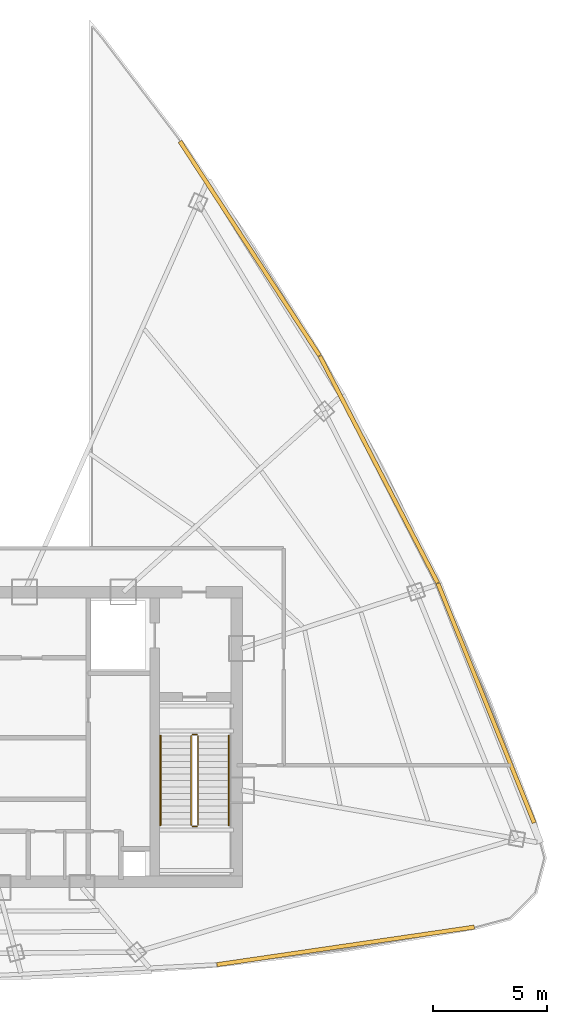
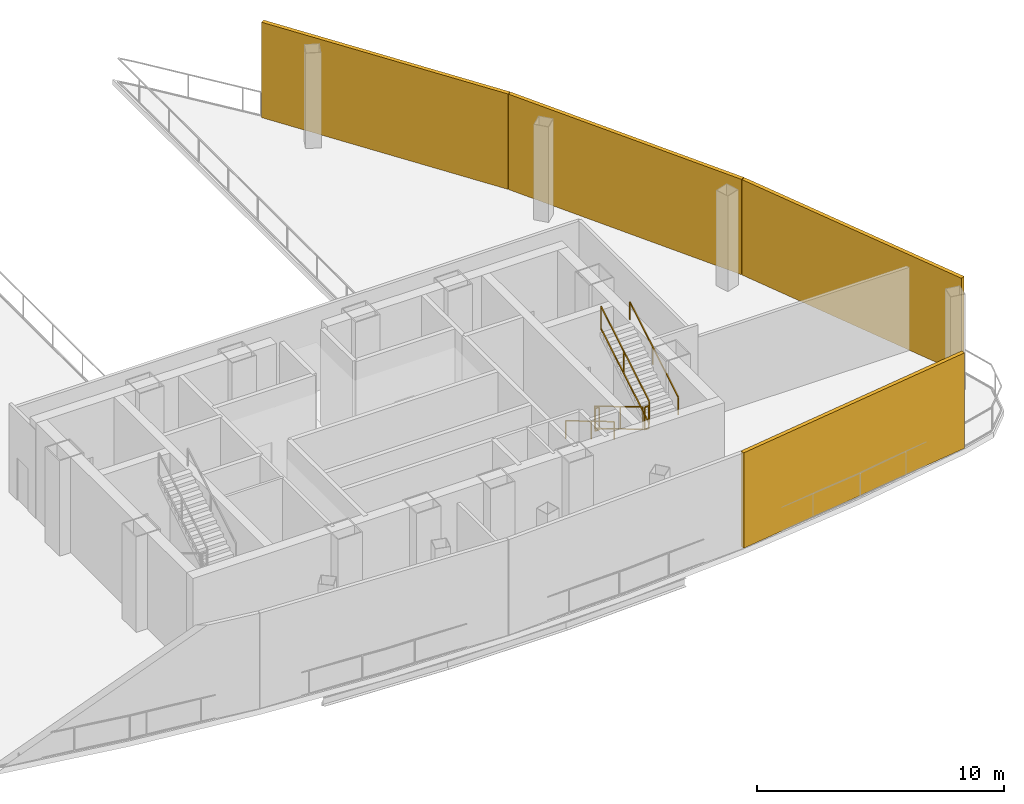
# One storey, part 6 of 6: 6 railings, 4 shading devices.
"""IFC4 building model written with IfcOpenShell, lengths in metres."""

import ifcopenshell
import ifcopenshell.guid

model = None  # the IFC model being written
_history = None  # IfcOwnerHistory: only IFC2X3 demands one
_inside = {}  # id of a spatial element -> (the spatial element, [elements in it])
_under = {}  # id of a project, library or spatial element -> (it, [spatial elements below it])
_declared = {}  # id of a project -> (the project, [libraries it declares])
_typed = {}  # id of a type object -> (the type object, [elements of that type])
_made_of = {}  # id of a material, layer set ... -> (it, [elements and type objects made of it])


def new_model(schema):
    """Start an empty IFC model of exactly this schema.

    Asked for "IFC4X3", IfcOpenShell would pick the latest addendum, in which some entities
    have other attributes; the version numbers below select the first issue.
    IFC2X3 requires an IfcOwnerHistory on every rooted entity: one is made here for all.
    """
    global model, _history
    if schema == "IFC4X3":
        model = ifcopenshell.file(schema_version=(4, 3, 0, 0))
    else:
        model = ifcopenshell.file(schema=schema)
    _inside.clear()
    _under.clear()
    _declared.clear()
    _typed.clear()
    _made_of.clear()
    _history = None
    if model.schema == "IFC2X3":
        org = make("IfcOrganization", Name="unknown")
        user = make(
            "IfcPersonAndOrganization",
            ThePerson=make("IfcPerson", FamilyName="unknown"),
            TheOrganization=org,
        )
        app = make(
            "IfcApplication",
            ApplicationDeveloper=org,
            Version="unknown",
            ApplicationFullName="unknown",
            ApplicationIdentifier="unknown",
        )
        _history = make(
            "IfcOwnerHistory",
            OwningUser=user,
            OwningApplication=app,
            ChangeAction="ADDED",
            CreationDate=0,
        )
    return model


def make(cls, **values):
    """One entity of the class cls with the attributes given. An attribute that is None is left unset."""
    return model.create_entity(
        cls, **{name: value for name, value in values.items() if value is not None}
    )


def rooted(cls, **values):
    """An entity with a GlobalId (a new one), such as an element, a storey or a relation."""
    return make(cls, GlobalId=ifcopenshell.guid.new(), OwnerHistory=_history, **values)


def si_unit(unit_type, name, prefix=None):
    """IfcSIUnit, for example si_unit("LENGTHUNIT", "METRE", prefix="MILLI")."""
    return make("IfcSIUnit", UnitType=unit_type, Prefix=prefix, Name=name)


def assignment(units):
    """IfcUnitAssignment: the units of a project."""
    return None if units is None else make("IfcUnitAssignment", Units=units)


def point(xyz):
    """IfcCartesianPoint."""
    return None if xyz is None else make("IfcCartesianPoint", Coordinates=xyz)


def direction(xyz):
    """IfcDirection."""
    return None if xyz is None else make("IfcDirection", DirectionRatios=xyz)


def frame(location, z_axis=None, x_axis=None):
    """IfcAxis2Placement3D, a coordinate frame: its origin and axes. An axis left out is left unset."""
    return make(
        "IfcAxis2Placement3D",
        Location=point(location),
        Axis=direction(z_axis),
        RefDirection=direction(x_axis),
    )


def frame_2d(location, x_axis=None):
    """IfcAxis2Placement2D, a coordinate frame in the plane: its origin and x axis."""
    return make(
        "IfcAxis2Placement2D", Location=point(location), RefDirection=direction(x_axis)
    )


def origin():
    """The frame at (0, 0, 0) with its axes left unset."""
    return frame((0.0, 0.0, 0.0))


def origin_2d():
    """The frame at (0, 0) in the plane with its x axis left unset."""
    return frame_2d((0.0, 0.0))


def place(relative_to, where):
    """IfcLocalPlacement: puts the frame where relative to a parent placement (None: the world)."""
    return make(
        "IfcLocalPlacement", PlacementRelTo=relative_to, RelativePlacement=where
    )


def context(
    kind, dimensions, precision=None, world=None, true_north=None, identifier=None
):
    """IfcGeometricRepresentationContext, for example the 3D "Model" context."""
    return make(
        "IfcGeometricRepresentationContext",
        ContextIdentifier=identifier,
        ContextType=kind,
        CoordinateSpaceDimension=dimensions,
        Precision=precision,
        WorldCoordinateSystem=world,
        TrueNorth=true_north,
    )


def subcontext(parent, identifier, kind, view, scale=None):
    """IfcGeometricRepresentationSubContext, for example "Body" below "Model"."""
    return make(
        "IfcGeometricRepresentationSubContext",
        ContextIdentifier=identifier,
        ContextType=kind,
        ParentContext=parent,
        TargetScale=scale,
        TargetView=view,
    )


def project(units=None, contexts=None):
    """IfcProject with its units and contexts."""
    return rooted(
        "IfcProject",
        Name="project",
        RepresentationContexts=contexts,
        UnitsInContext=assignment(units),
    )


def spatial(cls, under=None, at=None, **own):
    """A site, building, storey or space (cls), placed at a placement, below another one or the project."""
    s = rooted(cls, ObjectPlacement=at, **own)
    if under is not None:
        _under.setdefault(under.id(), (under, []))[1].append(s)
    return s


def profile(cls, at=None, kind="AREA", **sizes):
    """A parametric profile (cls). Its sizes go by their IFC names, for example OverallWidth=200.0."""
    return make(cls, ProfileType=kind, Position=at, **sizes)


def rectangle(**sizes):
    """IfcRectangleProfileDef."""
    return profile("IfcRectangleProfileDef", **sizes)


def extrude(swept, where, along, depth):
    """IfcExtrudedAreaSolid: the profile swept, set in the frame where, extruded along a direction by depth."""
    return make(
        "IfcExtrudedAreaSolid",
        SweptArea=swept,
        Position=where,
        ExtrudedDirection=direction(along),
        Depth=depth,
    )


def shape(context_of_items, identifier, shape_type, items):
    """IfcShapeRepresentation: the items that make up one representation, for example the "Body"."""
    return make(
        "IfcShapeRepresentation",
        ContextOfItems=context_of_items,
        RepresentationIdentifier=identifier,
        RepresentationType=shape_type,
        Items=items,
    )


def source(mapping_origin, context_of_items, identifier, shape_type, items):
    """IfcRepresentationMap: a shape defined once, which mapped items show again and again."""
    return make(
        "IfcRepresentationMap",
        MappingOrigin=mapping_origin,
        MappedRepresentation=shape(context_of_items, identifier, shape_type, items),
    )


def transform(
    local_origin,
    x_axis=None,
    y_axis=None,
    z_axis=None,
    scale=None,
    scale2=None,
    scale3=None,
    uniform=True,
):
    """IfcCartesianTransformationOperator3D, or its non-uniform kind. x_axis, y_axis, z_axis: its Axis1, 2, 3."""
    if uniform:
        return make(
            "IfcCartesianTransformationOperator3D",
            Axis1=direction(x_axis),
            Axis2=direction(y_axis),
            LocalOrigin=point(local_origin),
            Scale=scale,
            Axis3=direction(z_axis),
        )
    return make(
        "IfcCartesianTransformationOperator3DnonUniform",
        Axis1=direction(x_axis),
        Axis2=direction(y_axis),
        LocalOrigin=point(local_origin),
        Scale=scale,
        Axis3=direction(z_axis),
        Scale2=scale2,
        Scale3=scale3,
    )


def mapped(mapping_source, mapping_target):
    """IfcMappedItem: shows the shape of a source again, moved by a transform."""
    return make(
        "IfcMappedItem", MappingSource=mapping_source, MappingTarget=mapping_target
    )


def material(Name=None, Category=None):
    """IfcMaterial."""
    return make("IfcMaterial", Name=Name, Category=Category)


def layer(
    of_material, thickness, ventilated=None, Name=None, Category=None, Priority=None
):
    """IfcMaterialLayer: one layer of a wall or slab, of a material (None: an air gap)."""
    return make(
        "IfcMaterialLayer",
        Material=of_material,
        LayerThickness=thickness,
        IsVentilated=ventilated,
        Name=Name,
        Category=Category,
        Priority=Priority,
    )


def layer_set(layers, Name=None):
    """IfcMaterialLayerSet."""
    return make("IfcMaterialLayerSet", MaterialLayers=layers, LayerSetName=Name)


def made_of(thing, what):
    """Note that an element or type object is made of a material, layer set ...; save() writes the relation."""
    if what is not None:
        _made_of.setdefault(what.id(), (what, []))[1].append(thing)
    return thing


def type_object(cls, material=None, **own):
    """A type object (cls), such as IfcWallType, which elements share."""
    return made_of(rooted(cls, **own), material)


def element(
    cls,
    number,
    at=None,
    inside=None,
    cuts=None,
    type_object=None,
    material=None,
    context=None,
    identifier="Body",
    shape_type=None,
    held_by="IfcProductDefinitionShape",
    body=None,
    shapes=None,
    **own,
):
    """One element of the class cls, such as IfcWall. Its Tag is "e" and its number.

    at: its placement. inside: the storey or other place that contains it. cuts: it is an
    opening in that element (IfcRelVoidsElement). A single representation is given by context,
    identifier, shape_type and body (its items); several are given by shapes. held_by: the class
    of the entity that holds the representations. save() writes the other relations.
    """
    e = rooted(cls, Tag="e%d" % number, ObjectPlacement=at, **own)
    if body is not None:
        shapes = [shape(context, identifier, shape_type, body)]
    if shapes is not None:
        e.Representation = make(held_by, Representations=shapes)
    if inside is not None:
        _inside.setdefault(inside.id(), (inside, []))[1].append(e)
    if cuts is not None:
        rooted(
            "IfcRelVoidsElement", RelatingBuildingElement=cuts, RelatedOpeningElement=e
        )
    if type_object is not None:
        _typed.setdefault(type_object.id(), (type_object, []))[1].append(e)
    return made_of(e, material)


def aggregate(whole, parts):
    """IfcRelAggregates: a whole, such as a stair, and the parts it consists of."""
    return rooted("IfcRelAggregates", RelatingObject=whole, RelatedObjects=parts)


def save(model, path):
    """Write the relations noted so far, then the file.

    IfcRelAggregates (storeys below a building ...), IfcRelContainedInSpatialStructure (elements
    in a storey), IfcRelDefinesByType, IfcRelAssociatesMaterial and IfcRelDeclares: one each for
    every whole, place, type object, material and project.
    """
    for whole, parts in _under.values():
        aggregate(whole, parts)
    for where, things in _inside.values():
        rooted(
            "IfcRelContainedInSpatialStructure",
            RelatedElements=things,
            RelatingStructure=where,
        )
    for kind, things in _typed.values():
        rooted("IfcRelDefinesByType", RelatedObjects=things, RelatingType=kind)
    for what, things in _made_of.values():
        rooted("IfcRelAssociatesMaterial", RelatedObjects=things, RelatingMaterial=what)
    for by, libraries in _declared.values():
        rooted("IfcRelDeclares", RelatingContext=by, RelatedDefinitions=libraries)
    model.write(path)


model = new_model("IFC4")

# Units and contexts
model_context = context("Model", 3, precision=1e-05, world=origin(), true_north=direction((0.0, 1.0)))
body_context = subcontext(model_context, "Body", "Model", "MODEL_VIEW")
ifc_project = project(units=[si_unit("LENGTHUNIT", "METRE"), si_unit("AREAUNIT", "SQUARE_METRE"), si_unit("VOLUMEUNIT", "CUBIC_METRE"), si_unit("PLANEANGLEUNIT", "RADIAN"), si_unit("MASSUNIT", "GRAM", prefix="KILO"), si_unit("THERMODYNAMICTEMPERATUREUNIT", "KELVIN"), si_unit("POWERUNIT", "WATT")], contexts=[model_context])

# Site, building, storey
site_placement = place(None, origin())
site = spatial("IfcSite", under=ifc_project, at=site_placement, CompositionType="ELEMENT")
building_placement = place(site_placement, origin())
building = spatial("IfcBuilding", under=site, at=building_placement, Name="Yunzhuo Pagoda Commons", CompositionType="ELEMENT")
storey_placement = place(building_placement, frame((0.0, 0.0, 376.760009765625)))
storey = spatial("IfcBuildingStorey", under=building, at=storey_placement, Name="L94", CompositionType="ELEMENT", Elevation=376.760009765625)

# Railings
ifc_material = material(Name="Anodized aluminium 6063-T6", Category="aluminium")
railing_type_1 = type_object("IfcRailingType", Name="GR-ST2 Stair Well Guardrail 1160", PredefinedType="GUARDRAIL", material=ifc_material)
railing_1_placement = place(storey_placement, frame((58.199951171875, 33.89990234375, 0.166748046875)))
element("IfcRailing", 1, at=railing_1_placement, inside=storey, type_object=railing_type_1, Name="L94 ST2 stair guard 1", PredefinedType="GUARDRAIL", context=body_context, shape_type="SweptSolid", body=[
    extrude(rectangle(XDim=0.048095703125, YDim=0.048095703125, at=origin_2d()), frame((0.0, 0.0, 1.1259765625), z_axis=(0.0, -0.859296244711, 0.511478214419), x_axis=(1.0, 0.0, 0.0)), (0.0, 0.0, 1.0), 4.561767578125),
    extrude(rectangle(XDim=0.048095703125, YDim=0.048095703125, at=origin_2d()), frame((0.0, 0.0, 0.02392578125), z_axis=(0.0, -0.859296244711, 0.511478214419), x_axis=(1.0, 0.0, 0.0)), (0.0, 0.0, 1.0), 4.561767578125),
    extrude(rectangle(XDim=0.0419921875, YDim=0.0419921875, at=origin_2d()), origin(), (0.0, 0.0, 1.0), 1.101806640625),
    extrude(rectangle(XDim=0.0419921875, YDim=0.0419921875, at=origin_2d()), frame((0.0, -2.062255859375, 1.2275390625)), (0.0, 0.0, 1.0), 1.101806640625),
    extrude(rectangle(XDim=0.0419921875, YDim=0.0419921875, at=origin_2d()), frame((0.0, -3.919921875, 2.333251953125)), (0.0, 0.0, 1.0), 1.101806640625),
])
railing_2_placement = place(storey_placement, frame((58.25, 29.929931640625, 2.5)))
element("IfcRailing", 2, at=railing_2_placement, inside=storey, type_object=railing_type_1, Name="L94 ST2 stair guard 2", PredefinedType="GUARDRAIL", context=body_context, shape_type="SweptSolid", body=[
    extrude(rectangle(XDim=0.048095703125, YDim=0.048095703125, at=origin_2d()), frame((0.0, 0.0, 1.1259765625), z_axis=(1.0, 0.0, 0.0), x_axis=(0.0, 1.0, 0.0)), (0.0, 0.0, 1.0), 0.199951171875),
    extrude(rectangle(XDim=0.048095703125, YDim=0.048095703125, at=origin_2d()), frame((0.0, 0.0, 0.02392578125), z_axis=(1.0, 0.0, 0.0), x_axis=(0.0, 1.0, 0.0)), (0.0, 0.0, 1.0), 0.199951171875),
    extrude(rectangle(XDim=0.0419921875, YDim=0.0419921875, at=origin_2d()), origin(), (0.0, 0.0, 1.0), 1.101806640625),
    extrude(rectangle(XDim=0.0419921875, YDim=0.0419921875, at=origin_2d()), frame((0.199951171875, 0.0, 0.0)), (0.0, 0.0, 1.0), 1.101806640625),
])
railing_3_placement = place(storey_placement, frame((58.5, 29.97998046875, 2.666748046875)))
element("IfcRailing", 3, at=railing_3_placement, inside=storey, type_object=railing_type_1, Name="L94 ST2 stair guard 3", PredefinedType="GUARDRAIL", context=body_context, shape_type="SweptSolid", body=[
    extrude(rectangle(XDim=0.048095703125, YDim=0.048095703125, at=origin_2d()), frame((0.0, 0.0, 1.1259765625), z_axis=(0.0, 0.859296244711, 0.511478214419), x_axis=(-1.0, 0.0, 0.0)), (0.0, 0.0, 1.0), 4.561767578125),
    extrude(rectangle(XDim=0.048095703125, YDim=0.048095703125, at=origin_2d()), frame((0.0, 0.0, 0.02392578125), z_axis=(0.0, 0.859296244711, 0.511478214419), x_axis=(-1.0, 0.0, 0.0)), (0.0, 0.0, 1.0), 4.561767578125),
    extrude(rectangle(XDim=0.0419921875, YDim=0.0419921875, at=origin_2d()), origin(), (0.0, 0.0, 1.0), 1.101806640625),
    extrude(rectangle(XDim=0.0419921875, YDim=0.0419921875, at=origin_2d()), frame((0.0, 2.062255859375, 1.2275390625)), (0.0, 0.0, 1.0), 1.101806640625),
    extrude(rectangle(XDim=0.0419921875, YDim=0.0419921875, at=origin_2d()), frame((0.0, 3.919921875, 2.333251953125)), (0.0, 0.0, 1.0), 1.101806640625),
])
railing_4_placement = place(storey_placement, frame((58.25, 33.949951171875, 0.0)))
element("IfcRailing", 4, at=railing_4_placement, inside=storey, type_object=railing_type_1, Name="L94 ST2 stair guard 4", PredefinedType="GUARDRAIL", context=body_context, shape_type="SweptSolid", body=[
    extrude(rectangle(XDim=0.048095703125, YDim=0.048095703125, at=origin_2d()), frame((0.0, 0.0, 1.1259765625), z_axis=(1.0, 0.0, 0.0), x_axis=(0.0, 1.0, 0.0)), (0.0, 0.0, 1.0), 0.199951171875),
    extrude(rectangle(XDim=0.048095703125, YDim=0.048095703125, at=origin_2d()), frame((0.0, 0.0, 0.02392578125), z_axis=(1.0, 0.0, 0.0), x_axis=(0.0, 1.0, 0.0)), (0.0, 0.0, 1.0), 0.199951171875),
    extrude(rectangle(XDim=0.0419921875, YDim=0.0419921875, at=origin_2d()), origin(), (0.0, 0.0, 1.0), 1.101806640625),
    extrude(rectangle(XDim=0.0419921875, YDim=0.0419921875, at=origin_2d()), frame((0.199951171875, 0.0, 0.0)), (0.0, 0.0, 1.0), 1.101806640625),
])
railing_type_2 = type_object("IfcRailingType", Name="HR-ST2 Stair Handrail 900", PredefinedType="HANDRAIL", material=ifc_material)
railing_5_placement = place(storey_placement, frame((56.85009765625, 33.89990234375, 0.166748046875)))
element("IfcRailing", 5, at=railing_5_placement, inside=storey, type_object=railing_type_2, Name="L94 ST2 stair handrail 1", PredefinedType="HANDRAIL", context=body_context, shape_type="SweptSolid", body=[
    extrude(rectangle(XDim=0.048095703125, YDim=0.048095703125, at=origin_2d()), frame((0.0, 0.0, 0.8759765625), z_axis=(0.0, -0.859296244711, 0.511478214419), x_axis=(1.0, 0.0, 0.0)), (0.0, 0.0, 1.0), 4.561767578125),
    extrude(rectangle(XDim=0.0419921875, YDim=0.0419921875, at=origin_2d()), origin(), (0.0, 0.0, 1.0), 0.851806640625),
    extrude(rectangle(XDim=0.0419921875, YDim=0.0419921875, at=origin_2d()), frame((0.0, -2.062255859375, 1.2275390625)), (0.0, 0.0, 1.0), 0.851806640625),
    extrude(rectangle(XDim=0.0419921875, YDim=0.0419921875, at=origin_2d()), frame((0.0, -3.919921875, 2.333251953125)), (0.0, 0.0, 1.0), 0.851806640625),
])
railing_6_placement = place(storey_placement, frame((59.85009765625, 29.97998046875, 2.666748046875)))
element("IfcRailing", 6, at=railing_6_placement, inside=storey, type_object=railing_type_2, Name="L94 ST2 stair handrail 2", PredefinedType="HANDRAIL", context=body_context, shape_type="SweptSolid", body=[
    extrude(rectangle(XDim=0.048095703125, YDim=0.048095703125, at=origin_2d()), frame((0.0, 0.0, 0.8759765625), z_axis=(0.0, 0.859296244711, 0.511478214419), x_axis=(-1.0, 0.0, 0.0)), (0.0, 0.0, 1.0), 4.561767578125),
    extrude(rectangle(XDim=0.0419921875, YDim=0.0419921875, at=origin_2d()), origin(), (0.0, 0.0, 1.0), 0.851806640625),
    extrude(rectangle(XDim=0.0419921875, YDim=0.0419921875, at=origin_2d()), frame((0.0, 2.062255859375, 1.2275390625)), (0.0, 0.0, 1.0), 0.851806640625),
    extrude(rectangle(XDim=0.0419921875, YDim=0.0419921875, at=origin_2d()), frame((0.0, 3.919921875, 2.333251953125)), (0.0, 0.0, 1.0), 0.851806640625),
])

# Shading devices
ifc_layer = layer(ifc_material, 0.179931640625)
ifc_layer_set = layer_set([ifc_layer], Name="Anodized aluminium 6063-T6")
shading_device_type = type_object("IfcShadingDeviceType", Name="SH-SCR2 Crown Drum Acoustic Louvre Screen", PredefinedType="JALOUSIE", material=ifc_layer_set)
shared_shape_1 = source(origin(), body_context, "Body", "SweptSolid", [
    extrude(rectangle(XDim=11.403076171875, YDim=0.179931640625, at=origin_2d()), origin(), (0.0, 0.0, 1.0), 4.719970703125),
])
shading_device_1_placement = place(storey_placement, frame((64.96728515625, 24.690185546875, 0.0), z_axis=(0.0, 0.0, 1.0), x_axis=(0.989510666697, 0.144459823108, 0.0)))
element("IfcShadingDevice", 7, at=shading_device_1_placement, inside=storey, type_object=shading_device_type, Name="L94 wind portal wing louvre screen F1.4", PredefinedType="JALOUSIE", context=body_context, shape_type="MappedRepresentation", body=[
    mapped(shared_shape_1, transform((0.0, 0.0, 0.0), scale=1.0)),
])
shared_shape_2 = source(origin(), body_context, "Body", "SweptSolid", [
    extrude(rectangle(XDim=11.311279296875, YDim=0.179931640625, at=origin_2d()), origin(), (0.0, 0.0, 1.0), 4.719970703125),
])
shading_device_2_placement = place(storey_placement, frame((71.122802734375, 35.330078125, 0.0), z_axis=(0.0, 0.0, 1.0), x_axis=(-0.372987782576, 0.927836253899, 0.0)))
element("IfcShadingDevice", 8, at=shading_device_2_placement, inside=storey, type_object=shading_device_type, Name="L94 wind portal wing louvre screen F2.1", PredefinedType="JALOUSIE", context=body_context, shape_type="MappedRepresentation", body=[
    mapped(shared_shape_2, transform((0.0, 0.0, 0.0), scale=1.0)),
])
shared_shape_3 = source(origin(), body_context, "Body", "SweptSolid", [
    extrude(rectangle(XDim=11.203857421875, YDim=0.179931640625, at=origin_2d()), origin(), (0.0, 0.0, 1.0), 4.719970703125),
])
for number, where, z_axis, x_axis, name in (
    (9, (66.417724609375, 45.57421875, 0.0), (0.0, 0.0, 1.0), (-0.461206683033, 0.88729273384, 0.0), "L94 wind portal wing louvre screen F2.2"),
    (10, (60.76220703125, 55.2626953125, 0.0), (0.0, 0.0, 1.0), (-0.545853380833, 0.837880711458, 0.0), "L94 wind portal wing louvre screen F2.3"),
):
    element("IfcShadingDevice", number, at=place(storey_placement, frame(where, z_axis=z_axis, x_axis=x_axis)), inside=storey, type_object=shading_device_type, Name=name, PredefinedType="JALOUSIE", context=body_context, shape_type="MappedRepresentation", body=[
        mapped(shared_shape_3, transform((0.0, 0.0, 0.0), scale=1.0)),
    ])

save(model, "model.ifc")
